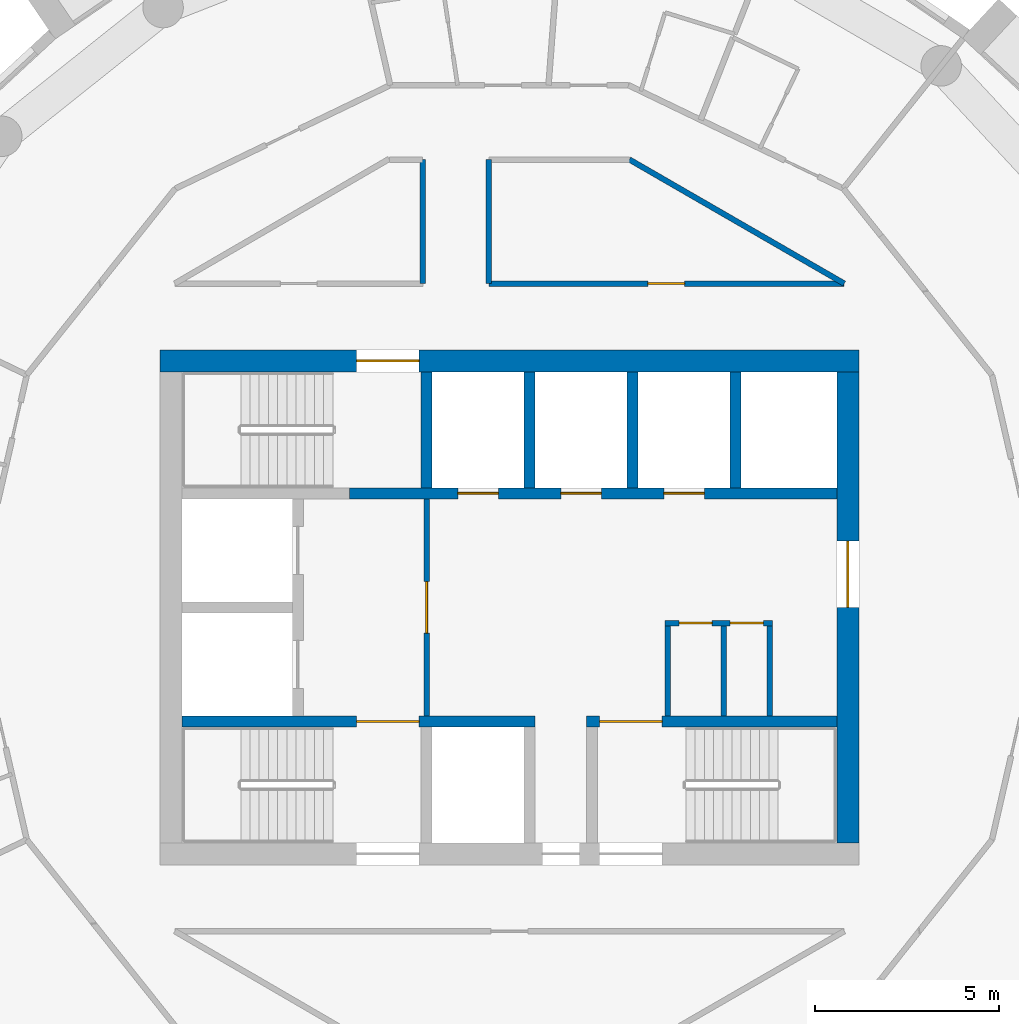
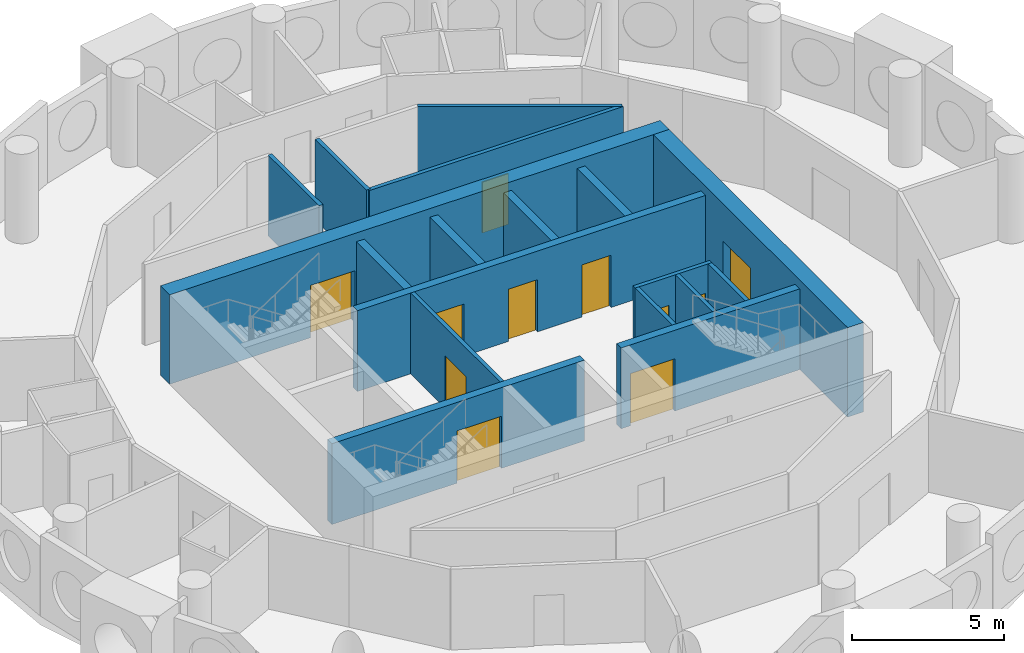
# One storey, part 7 of 12: 18 walls, 11 doors, 11 openings.
"""IFC4 building model written with IfcOpenShell, lengths in metres."""

from ifc_helpers import new_model, si_unit, direction, frame, frame_2d, origin, place, context, subcontext, project, spatial, rectangle, extrude, material, layer, layer_set, type_object, element, fill, save


model = new_model("IFC4")

# Units and contexts
model_context = context("Model", 3, precision=1e-05, world=origin(), true_north=direction((0.0, 1.0)))
body_context = subcontext(model_context, "Body", "Model", "MODEL_VIEW")
ifc_project = project(units=[si_unit("LENGTHUNIT", "METRE"), si_unit("AREAUNIT", "SQUARE_METRE"), si_unit("VOLUMEUNIT", "CUBIC_METRE"), si_unit("PLANEANGLEUNIT", "RADIAN"), si_unit("MASSUNIT", "GRAM", prefix="KILO")], contexts=[model_context])

# Site, building, storey
site_placement = place(None, origin())
site = spatial("IfcSite", under=ifc_project, at=site_placement, CompositionType="ELEMENT")
building_placement = place(site_placement, origin())
building = spatial("IfcBuilding", under=site, at=building_placement, Name="Tracery Tower", CompositionType="ELEMENT")
storey_placement = place(building_placement, frame((0.0, 0.0, 249.0)))
storey = spatial("IfcBuildingStorey", under=building, at=storey_placement, Name="L64", CompositionType="ELEMENT", Elevation=249.0)

# Wall, opening, door
ifc_material_1 = material(Name="Plasterboard on steel studs", Category="steel")
ifc_layer_1 = layer(ifc_material_1, 0.14990234375)
ifc_layer_set_1 = layer_set([ifc_layer_1], Name="Core lobby partition 150")
wall_type_1 = type_object("IfcWallType", Name="Core lobby partition 150", PredefinedType="SOLIDWALL", material=ifc_layer_set_1)
wall_1_placement = place(storey_placement, frame((-2.25, -2.949951171875, 0.0), z_axis=(0.0, 0.0, 1.0), x_axis=(0.0, 1.0, 0.0)))
wall_1 = element("IfcWall", 1, at=wall_1_placement, inside=storey, type_object=wall_type_1, Name="L64 FF lobby E", PredefinedType="SOLIDWALL", context=body_context, shape_type="SweptSolid", body=[
    extrude(rectangle(XDim=5.89990234375, YDim=0.14990234375, at=frame_2d((2.949951171875, 0.0))), origin(), (0.0, 0.0, 1.0), 3.25),
])
opening_1_placement = place(wall_1_placement, frame((2.25, 0.0, 0.0)))
opening_1 = element("IfcOpeningElement", 2, at=opening_1_placement, cuts=wall_1, Name="Opening KD8", PredefinedType="OPENING", context=body_context, shape_type="SweptSolid", body=[
    extrude(rectangle(XDim=1.39990234375, YDim=2.10009765625, at=frame_2d((0.699951171875, 1.050048828125))), frame((0.0, 0.074951171875, 0.0), z_axis=(0.0, -1.0, 0.0), x_axis=(1.0, 0.0, 0.0)), (0.0, 0.0, 1.0), 0.14990234375),
])
ifc_material_2 = material(Name="Steel fire door", Category="steel")
door_type_1 = type_object("IfcDoorType", Name="Core lobby door 1400 double", OperationType="NOTDEFINED", PredefinedType="DOOR", material=ifc_material_2)
door_1_placement = place(opening_1_placement, origin())
door_1 = element("IfcDoor", 3, at=door_1_placement, inside=storey, type_object=door_type_1, Name="Fire-fighting lobby door", OperationType="DOUBLE_DOOR_SINGLE_SWING", OverallHeight=2.10009765625, OverallWidth=1.39990234375, PredefinedType="DOOR", context=body_context, shape_type="SweptSolid", body=[
    extrude(rectangle(XDim=1.39990234375, YDim=2.10009765625, at=frame_2d((0.699951171875, 1.050048828125))), frame((0.0, 0.02490234375, 0.0), z_axis=(0.0, -1.0, 0.0), x_axis=(1.0, 0.0, 0.0)), (0.0, 0.0, 1.0), 0.050048828125),
])
fill(opening_1, door_1)

# Wall
ifc_material_3 = material(Name="Plasterboard on steel studs", Category="steel")
ifc_layer_2 = layer(ifc_material_3, 0.14990234375)
ifc_layer_set_2 = layer_set([ifc_layer_2], Name="Core room partition 150")
wall_type_2 = type_object("IfcWallType", Name="Core room partition 150", PredefinedType="SOLIDWALL", material=ifc_layer_set_2)
wall_2_placement = place(storey_placement, frame((4.300048828125, -2.949951171875, 0.0), z_axis=(0.0, 0.0, 1.0), x_axis=(0.0, 1.0, 0.0)))
element("IfcWall", 4, at=wall_2_placement, inside=storey, type_object=wall_type_2, Name="L64 slot W", PredefinedType="SOLIDWALL", context=body_context, shape_type="SweptSolid", body=[
    extrude(rectangle(XDim=2.449951171875, YDim=0.14990234375, at=frame_2d((1.22509765625, 0.0))), origin(), (0.0, 0.0, 1.0), 3.25),
])

# Wall, openings, doors
wall_3_placement = place(storey_placement, frame((4.22509765625, -0.425048828125, 0.0), z_axis=(0.0, 0.0, 1.0), x_axis=(1.0, 0.0, 0.0)))
wall_3 = element("IfcWall", 5, at=wall_3_placement, inside=storey, type_object=wall_type_2, Name="L64 slot N", PredefinedType="SOLIDWALL", context=body_context, shape_type="SweptSolid", body=[
    extrude(rectangle(XDim=2.9248046875, YDim=0.14990234375, at=frame_2d((1.46240234375, 0.0))), origin(), (0.0, 0.0, 1.0), 3.25),
])
opening_2_placement = place(wall_3_placement, frame((0.387451171875, 0.0, 0.0)))
opening_2 = element("IfcOpeningElement", 6, at=opening_2_placement, cuts=wall_3, Name="Opening KD22", PredefinedType="OPENING", context=body_context, shape_type="SweptSolid", body=[
    extrude(rectangle(XDim=0.89990234375, YDim=2.10009765625, at=frame_2d((0.449951171875, 1.050048828125))), frame((0.0, 0.074951171875, 0.0), z_axis=(0.0, -1.0, 0.0), x_axis=(1.0, 0.0, 0.0)), (0.0, 0.0, 1.0), 0.14990234375),
])
opening_3_placement = place(wall_3_placement, frame((1.77490234375, 0.0, 0.0)))
opening_3 = element("IfcOpeningElement", 7, at=opening_3_placement, cuts=wall_3, Name="Opening KD26", PredefinedType="OPENING", context=body_context, shape_type="SweptSolid", body=[
    extrude(rectangle(XDim=0.89990234375, YDim=2.10009765625, at=frame_2d((0.449951171875, 1.050048828125))), frame((0.0, 0.074951171875, 0.0), z_axis=(0.0, -1.0, 0.0), x_axis=(1.0, 0.0, 0.0)), (0.0, 0.0, 1.0), 0.14990234375),
])
ifc_material_4 = material(Name="Timber door leaf", Category="wood")
door_type_2 = type_object("IfcDoorType", Name="Core WC door 900", OperationType="NOTDEFINED", PredefinedType="DOOR", material=ifc_material_4)
door_2_placement = place(opening_2_placement, origin())
door_2 = element("IfcDoor", 8, at=door_2_placement, inside=storey, type_object=door_type_2, Name="Core door", OperationType="SINGLE_SWING_RIGHT", OverallHeight=2.10009765625, OverallWidth=0.89990234375, PredefinedType="DOOR", context=body_context, shape_type="SweptSolid", body=[
    extrude(rectangle(XDim=0.89990234375, YDim=2.10009765625, at=frame_2d((0.449951171875, 1.050048828125))), frame((0.0, 0.02490234375, 0.0), z_axis=(0.0, -1.0, 0.0), x_axis=(1.0, 0.0, 0.0)), (0.0, 0.0, 1.0), 0.050048828125),
])
fill(opening_2, door_2)
ifc_material_5 = material(Name="Timber door leaf", Category="wood")
door_type_3 = type_object("IfcDoorType", Name="Core store door 900", OperationType="NOTDEFINED", PredefinedType="DOOR", material=ifc_material_5)
door_3_placement = place(opening_3_placement, origin())
door_3 = element("IfcDoor", 9, at=door_3_placement, inside=storey, type_object=door_type_3, Name="Core door", OperationType="SINGLE_SWING_LEFT", OverallHeight=2.10009765625, OverallWidth=0.89990234375, PredefinedType="DOOR", context=body_context, shape_type="SweptSolid", body=[
    extrude(rectangle(XDim=0.89990234375, YDim=2.10009765625, at=frame_2d((0.449951171875, 1.050048828125))), frame((0.0, 0.02490234375, 0.0), z_axis=(0.0, -1.0, 0.0), x_axis=(1.0, 0.0, 0.0)), (0.0, 0.0, 1.0), 0.050048828125),
])
fill(opening_3, door_3)

# Walls
for number, where, z_axis, x_axis, name in (
    (10, (7.074951171875, -2.949951171875, 0.0), (0.0, 0.0, 1.0), (0.0, 1.0, 0.0), "L64 slot E"),
    (11, (5.824951171875, -2.949951171875, 0.0), (0.0, 0.0, 1.0), (0.0, 1.0, 0.0), "L64 slot sep 1"),
):
    element("IfcWall", number, at=place(storey_placement, frame(where, z_axis=z_axis, x_axis=x_axis)), inside=storey, type_object=wall_type_2, Name=name, PredefinedType="SOLIDWALL", context=body_context, shape_type="SweptSolid", body=[
        extrude(rectangle(XDim=2.449951171875, YDim=0.14990234375, at=frame_2d((1.22509765625, 0.0))), origin(), (0.0, 0.0, 1.0), 3.25),
    ])

# Wall, opening, door
ifc_material_6 = material(Name="Concrete C40/50", Category="concrete")
ifc_layer_3 = layer(ifc_material_6, 0.60009765625)
ifc_layer_set_3 = layer_set([ifc_layer_3], Name="Core wall 600 C40")
wall_type_3 = type_object("IfcWallType", Name="Core wall 600 C40", PredefinedType="SOLIDWALL", material=ifc_layer_set_3)
wall_4_placement = place(storey_placement, frame((-9.5, 6.699951171875, 0.0), z_axis=(0.0, 0.0, 1.0), x_axis=(1.0, 0.0, 0.0)))
wall_4 = element("IfcWall", 12, at=wall_4_placement, inside=storey, type_object=wall_type_3, Name="L64 outer N", PredefinedType="SOLIDWALL", context=body_context, shape_type="SweptSolid", body=[
    extrude(rectangle(XDim=19.0, YDim=0.60009765625, at=frame_2d((9.5, 0.0))), origin(), (0.0, 0.0, 1.0), 3.60009765625),
])
opening_4_placement = place(wall_4_placement, frame((5.35009765625, 0.0, 0.0)))
opening_4 = element("IfcOpeningElement", 13, at=opening_4_placement, cuts=wall_4, Name="Opening KD3", PredefinedType="OPENING", context=body_context, shape_type="SweptSolid", body=[
    extrude(rectangle(XDim=1.699951171875, YDim=2.10009765625, at=frame_2d((0.85009765625, 1.050048828125))), frame((0.0, 0.300048828125, 0.0), z_axis=(0.0, -1.0, 0.0), x_axis=(1.0, 0.0, 0.0)), (0.0, 0.0, 1.0), 0.60009765625),
])
ifc_material_7 = material(Name="Steel fire door", Category="steel")
door_type_4 = type_object("IfcDoorType", Name="Core stair door 1700 double", OperationType="NOTDEFINED", PredefinedType="DOOR", material=ifc_material_7)
door_4_placement = place(opening_4_placement, origin())
door_4 = element("IfcDoor", 14, at=door_4_placement, inside=storey, type_object=door_type_4, Name="Stair door ST3 exit", OperationType="DOUBLE_DOOR_SINGLE_SWING", OverallHeight=2.10009765625, OverallWidth=1.699951171875, PredefinedType="DOOR", context=body_context, shape_type="SweptSolid", body=[
    extrude(rectangle(XDim=1.699951171875, YDim=2.10009765625, at=frame_2d((0.85009765625, 1.050048828125))), frame((0.0, 0.02490234375, 0.0), z_axis=(0.0, -1.0, 0.0), x_axis=(1.0, 0.0, 0.0)), (0.0, 0.0, 1.0), 0.050048828125),
])
fill(opening_4, door_4)

wall_5_placement = place(storey_placement, frame((9.199951171875, -6.39990234375, 0.0), z_axis=(0.0, 0.0, 1.0), x_axis=(0.0, 1.0, 0.0)))
wall_5 = element("IfcWall", 15, at=wall_5_placement, inside=storey, type_object=wall_type_3, Name="L64 outer E", PredefinedType="SOLIDWALL", context=body_context, shape_type="SweptSolid", body=[
    extrude(rectangle(XDim=12.7998046875, YDim=0.60009765625, at=frame_2d((6.39990234375, 0.0))), origin(), (0.0, 0.0, 1.0), 3.60009765625),
])
opening_5_placement = place(wall_5_placement, frame((6.39990234375, 0.0, 0.0)))
opening_5 = element("IfcOpeningElement", 16, at=opening_5_placement, cuts=wall_5, Name="Opening KD13", PredefinedType="OPENING", context=body_context, shape_type="SweptSolid", body=[
    extrude(rectangle(XDim=1.800048828125, YDim=2.10009765625, at=frame_2d((0.89990234375, 1.050048828125))), frame((0.0, 0.300048828125, 0.0), z_axis=(0.0, -1.0, 0.0), x_axis=(1.0, 0.0, 0.0)), (0.0, 0.0, 1.0), 0.60009765625),
])
ifc_material_8 = material(Name="Steel fire door", Category="steel")
door_type_5 = type_object("IfcDoorType", Name="Core exit door 1800 double", OperationType="NOTDEFINED", PredefinedType="DOOR", material=ifc_material_8)
door_5_placement = place(opening_5_placement, origin())
door_5 = element("IfcDoor", 17, at=door_5_placement, inside=storey, type_object=door_type_5, Name="Core exit door", OperationType="DOUBLE_DOOR_SINGLE_SWING", OverallHeight=2.10009765625, OverallWidth=1.800048828125, PredefinedType="DOOR", context=body_context, shape_type="SweptSolid", body=[
    extrude(rectangle(XDim=1.800048828125, YDim=2.10009765625, at=frame_2d((0.89990234375, 1.050048828125))), frame((0.0, 0.02490234375, 0.0), z_axis=(0.0, -1.0, 0.0), x_axis=(1.0, 0.0, 0.0)), (0.0, 0.0, 1.0), 0.050048828125),
])
fill(opening_5, door_5)

ifc_material_9 = material(Name="Plasterboard on steel studs", Category="steel")
ifc_layer_4 = layer(ifc_material_9, 0.14990234375)
ifc_layer_set_4 = layer_set([ifc_layer_4], Name="Partition 150 corridor wall")
wall_type_4 = type_object("IfcWallType", Name="Partition 150 corridor wall", PredefinedType="PARTITIONING", material=ifc_layer_set_4)
wall_6_placement = place(storey_placement, frame((-0.56005859375, 8.800048828125, 0.0), z_axis=(0.0, 0.0, 1.0), x_axis=(1.0, 0.0, 0.0)))
wall_6 = element("IfcWall", 18, at=wall_6_placement, inside=storey, type_object=wall_type_4, Name="Corridor wall RC2-003", PredefinedType="PARTITIONING", context=body_context, shape_type="SweptSolid", body=[
    extrude(rectangle(XDim=9.66064453125, YDim=0.14990234375, at=frame_2d((4.830322265625, 0.0))), origin(), (0.0, 0.0, 1.0), 3.25),
])
opening_6_placement = place(wall_6_placement, frame((4.325927734375, 0.0, 0.0)))
opening_6 = element("IfcOpeningElement", 19, at=opening_6_placement, cuts=wall_6, Name="Opening RC2-02", PredefinedType="OPENING", context=body_context, shape_type="SweptSolid", body=[
    extrude(rectangle(XDim=1.0, YDim=2.0400390625, at=frame_2d((0.5, 1.02001953125))), frame((0.0, 0.074951171875, 0.0), z_axis=(0.0, -1.0, 0.0), x_axis=(1.0, 0.0, 0.0)), (0.0, 0.0, 1.0), 0.14990234375),
])
ifc_material_10 = material(Name="Timber door leaf", Category="wood")
door_type_6 = type_object("IfcDoorType", Name="Door communal room 1000", OperationType="NOTDEFINED", PredefinedType="DOOR", material=ifc_material_10)
door_6_placement = place(opening_6_placement, origin())
door_6 = element("IfcDoor", 20, at=door_6_placement, inside=storey, type_object=door_type_6, Name="Communal room door RC2-02", OperationType="SINGLE_SWING_LEFT", OverallHeight=2.0400390625, OverallWidth=1.0, PredefinedType="DOOR", context=body_context, shape_type="SweptSolid", body=[
    extrude(rectangle(XDim=1.0, YDim=2.0400390625, at=frame_2d((0.5, 1.02001953125))), frame((0.0, 0.02490234375, 0.0), z_axis=(0.0, -1.0, 0.0), x_axis=(1.0, 0.0, 0.0)), (0.0, 0.0, 1.0), 0.050048828125),
])
fill(opening_6, door_6)

# Walls
wall_7_placement = place(storey_placement, frame((-2.35595703125, 8.800048828125, 0.0), z_axis=(0.0, 0.0, 1.0), x_axis=(0.0, 1.0, 0.0)))
element("IfcWall", 21, at=wall_7_placement, inside=storey, type_object=wall_type_4, Name="Corridor wall RC2-024", PredefinedType="PARTITIONING", context=body_context, shape_type="SweptSolid", body=[
    extrude(rectangle(XDim=3.370849609375, YDim=0.14990234375, at=frame_2d((1.685546875, 0.0))), origin(), (0.0, 0.0, 1.0), 3.25),
])
wall_8_placement = place(storey_placement, frame((3.260986328125, 12.1708984375, 0.0), z_axis=(0.0, 0.0, 1.0), x_axis=(0.866066809554, -0.499928276245, 0.0)))
element("IfcWall", 22, at=wall_8_placement, inside=storey, type_object=wall_type_4, Name="Corridor wall RC2-026", PredefinedType="PARTITIONING", context=body_context, shape_type="SweptSolid", body=[
    extrude(rectangle(XDim=6.74267578125, YDim=0.14990234375, at=frame_2d((3.371337890625, 0.0))), origin(), (0.0, 0.0, 1.0), 3.25),
])
wall_9_placement = place(storey_placement, frame((-0.555908203125, 8.800048828125, 0.0), z_axis=(0.0, 0.0, 1.0), x_axis=(0.0, 1.0, 0.0)))
element("IfcWall", 23, at=wall_9_placement, inside=storey, type_object=wall_type_4, Name="Corridor wall RC2-028", PredefinedType="PARTITIONING", context=body_context, shape_type="SweptSolid", body=[
    extrude(rectangle(XDim=3.370849609375, YDim=0.14990234375, at=frame_2d((1.685546875, 0.0))), origin(), (0.0, 0.0, 1.0), 3.25),
])
ifc_material_11 = material(Name="Concrete C40/50", Category="concrete")
ifc_layer_5 = layer(ifc_material_11, 0.300048828125)
ifc_layer_set_5 = layer_set([ifc_layer_5], Name="Shaft wall 300 C40")
wall_type_5 = type_object("IfcWallType", Name="Shaft wall 300 C40", PredefinedType="SOLIDWALL", material=ifc_layer_set_5)
for number, where, z_axis, x_axis, name in (
    (24, (0.550048828125, 3.25, 0.0), (0.0, 0.0, 1.0), (0.0, 1.0, 0.0), "L64 HR sep 1"),
    (25, (3.35009765625, 3.25, 0.0), (0.0, 0.0, 1.0), (0.0, 1.0, 0.0), "L64 HR sep 2"),
    (26, (6.14990234375, 3.25, 0.0), (0.0, 0.0, 1.0), (0.0, 1.0, 0.0), "L64 HR sep 3"),
):
    element("IfcWall", number, at=place(storey_placement, frame(where, z_axis=z_axis, x_axis=x_axis)), inside=storey, type_object=wall_type_5, Name=name, PredefinedType="SOLIDWALL", context=body_context, shape_type="SweptSolid", body=[
        extrude(rectangle(XDim=3.14990234375, YDim=0.300048828125, at=frame_2d((1.574951171875, 0.0))), origin(), (0.0, 0.0, 1.0), 3.25),
    ])

# Wall, opening, door
ifc_material_12 = material(Name="Concrete C40/50", Category="concrete")
ifc_layer_6 = layer(ifc_material_12, 0.300048828125)
ifc_layer_set_6 = layer_set([ifc_layer_6], Name="Stair wall 300 C40")
wall_type_6 = type_object("IfcWallType", Name="Stair wall 300 C40", PredefinedType="SOLIDWALL", material=ifc_layer_set_6)
wall_10_placement = place(storey_placement, frame((-8.89990234375, -3.10009765625, 0.0), z_axis=(0.0, 0.0, 1.0), x_axis=(1.0, 0.0, 0.0)))
wall_10 = element("IfcWall", 27, at=wall_10_placement, inside=storey, type_object=wall_type_6, Name="L64 row S", PredefinedType="SOLIDWALL", context=body_context, shape_type="SweptSolid", body=[
    extrude(rectangle(XDim=9.599853515625, YDim=0.300048828125, at=frame_2d((4.7998046875, 0.0))), origin(), (0.0, 0.0, 1.0), 3.25),
])
opening_7_placement = place(wall_10_placement, frame((4.75, 0.0, 0.0)))
opening_7 = element("IfcOpeningElement", 28, at=opening_7_placement, cuts=wall_10, Name="Opening KD3", PredefinedType="OPENING", context=body_context, shape_type="SweptSolid", body=[
    extrude(rectangle(XDim=1.699951171875, YDim=2.10009765625, at=frame_2d((0.85009765625, 1.050048828125))), frame((0.0, 0.14990234375, 0.0), z_axis=(0.0, -1.0, 0.0), x_axis=(1.0, 0.0, 0.0)), (0.0, 0.0, 1.0), 0.300048828125),
])
door_7_placement = place(opening_7_placement, origin())
door_7 = element("IfcDoor", 29, at=door_7_placement, inside=storey, type_object=door_type_4, Name="Stair door ST1", OperationType="DOUBLE_DOOR_SINGLE_SWING", OverallHeight=2.10009765625, OverallWidth=1.699951171875, PredefinedType="DOOR", context=body_context, shape_type="SweptSolid", body=[
    extrude(rectangle(XDim=1.699951171875, YDim=2.10009765625, at=frame_2d((0.85009765625, 1.050048828125))), frame((0.0, 0.02490234375, 0.0), z_axis=(0.0, -1.0, 0.0), x_axis=(1.0, 0.0, 0.0)), (0.0, 0.0, 1.0), 0.050048828125),
])
fill(opening_7, door_7)

wall_11_placement = place(storey_placement, frame((2.10009765625, -3.10009765625, 0.0), z_axis=(0.0, 0.0, 1.0), x_axis=(1.0, 0.0, 0.0)))
wall_11 = element("IfcWall", 30, at=wall_11_placement, inside=storey, type_object=wall_type_6, Name="L64 row S E", PredefinedType="SOLIDWALL", context=body_context, shape_type="SweptSolid", body=[
    extrude(rectangle(XDim=6.7998046875, YDim=0.300048828125, at=frame_2d((3.39990234375, 0.0))), origin(), (0.0, 0.0, 1.0), 3.25),
])
opening_8_placement = place(wall_11_placement, frame((0.35009765625, 0.0, 0.0)))
opening_8 = element("IfcOpeningElement", 31, at=opening_8_placement, cuts=wall_11, Name="Opening KD3", PredefinedType="OPENING", context=body_context, shape_type="SweptSolid", body=[
    extrude(rectangle(XDim=1.699951171875, YDim=2.10009765625, at=frame_2d((0.85009765625, 1.050048828125))), frame((0.0, 0.14990234375, 0.0), z_axis=(0.0, -1.0, 0.0), x_axis=(1.0, 0.0, 0.0)), (0.0, 0.0, 1.0), 0.300048828125),
])
door_8_placement = place(opening_8_placement, origin())
door_8 = element("IfcDoor", 32, at=door_8_placement, inside=storey, type_object=door_type_4, Name="Stair door ST2", OperationType="DOUBLE_DOOR_SINGLE_SWING", OverallHeight=2.10009765625, OverallWidth=1.699951171875, PredefinedType="DOOR", context=body_context, shape_type="SweptSolid", body=[
    extrude(rectangle(XDim=1.699951171875, YDim=2.10009765625, at=frame_2d((0.85009765625, 1.050048828125))), frame((0.0, 0.02490234375, 0.0), z_axis=(0.0, -1.0, 0.0), x_axis=(1.0, 0.0, 0.0)), (0.0, 0.0, 1.0), 0.050048828125),
])
fill(opening_8, door_8)

# Wall, openings, doors
wall_12_placement = place(storey_placement, frame((-4.35009765625, 3.10009765625, 0.0), z_axis=(0.0, 0.0, 1.0), x_axis=(1.0, 0.0, 0.0)))
wall_12 = element("IfcWall", 33, at=wall_12_placement, inside=storey, type_object=wall_type_6, Name="L64 row N", PredefinedType="SOLIDWALL", context=body_context, shape_type="SweptSolid", body=[
    extrude(rectangle(XDim=13.25, YDim=0.300048828125, at=frame_2d((6.625, 0.0))), origin(), (0.0, 0.0, 1.0), 3.25),
])
opening_9_placement = place(wall_12_placement, frame((2.949951171875, 0.0, 0.0)))
opening_9 = element("IfcOpeningElement", 34, at=opening_9_placement, cuts=wall_12, Name="Opening KD49", PredefinedType="OPENING", context=body_context, shape_type="SweptSolid", body=[
    extrude(rectangle(XDim=1.10009765625, YDim=2.10009765625, at=frame_2d((0.550048828125, 1.050048828125))), frame((0.0, 0.14990234375, 0.0), z_axis=(0.0, -1.0, 0.0), x_axis=(1.0, 0.0, 0.0)), (0.0, 0.0, 1.0), 0.300048828125),
])
opening_10_placement = place(wall_12_placement, frame((5.75, 0.0, 0.0)))
opening_10 = element("IfcOpeningElement", 35, at=opening_10_placement, cuts=wall_12, Name="Opening KD50", PredefinedType="OPENING", context=body_context, shape_type="SweptSolid", body=[
    extrude(rectangle(XDim=1.10009765625, YDim=2.10009765625, at=frame_2d((0.550048828125, 1.050048828125))), frame((0.0, 0.14990234375, 0.0), z_axis=(0.0, -1.0, 0.0), x_axis=(1.0, 0.0, 0.0)), (0.0, 0.0, 1.0), 0.300048828125),
])
opening_11_placement = place(wall_12_placement, frame((8.550048828125, 0.0, 0.0)))
opening_11 = element("IfcOpeningElement", 36, at=opening_11_placement, cuts=wall_12, Name="Opening KD49", PredefinedType="OPENING", context=body_context, shape_type="SweptSolid", body=[
    extrude(rectangle(XDim=1.10009765625, YDim=2.10009765625, at=frame_2d((0.550048828125, 1.050048828125))), frame((0.0, 0.14990234375, 0.0), z_axis=(0.0, -1.0, 0.0), x_axis=(1.0, 0.0, 0.0)), (0.0, 0.0, 1.0), 0.300048828125),
])
ifc_material_13 = material(Name="Steel fire door", Category="steel")
door_type_7 = type_object("IfcDoorType", Name="Landing door 1100", OperationType="NOTDEFINED", PredefinedType="DOOR", material=ifc_material_13)
door_9_placement = place(opening_9_placement, origin())
door_9 = element("IfcDoor", 37, at=door_9_placement, inside=storey, type_object=door_type_7, Name="Landing door HR1", OperationType="SLIDING_TO_LEFT", OverallHeight=2.10009765625, OverallWidth=1.10009765625, PredefinedType="DOOR", context=body_context, shape_type="SweptSolid", body=[
    extrude(rectangle(XDim=1.10009765625, YDim=2.10009765625, at=frame_2d((0.550048828125, 1.050048828125))), frame((0.0, 0.02490234375, 0.0), z_axis=(0.0, -1.0, 0.0), x_axis=(1.0, 0.0, 0.0)), (0.0, 0.0, 1.0), 0.050048828125),
])
fill(opening_9, door_9)
door_10_placement = place(opening_10_placement, origin())
door_10 = element("IfcDoor", 38, at=door_10_placement, inside=storey, type_object=door_type_7, Name="Landing door HR2", OperationType="SLIDING_TO_RIGHT", OverallHeight=2.10009765625, OverallWidth=1.10009765625, PredefinedType="DOOR", context=body_context, shape_type="SweptSolid", body=[
    extrude(rectangle(XDim=1.10009765625, YDim=2.10009765625, at=frame_2d((0.550048828125, 1.050048828125))), frame((0.0, 0.02490234375, 0.0), z_axis=(0.0, -1.0, 0.0), x_axis=(1.0, 0.0, 0.0)), (0.0, 0.0, 1.0), 0.050048828125),
])
fill(opening_10, door_10)
door_11_placement = place(opening_11_placement, origin())
door_11 = element("IfcDoor", 39, at=door_11_placement, inside=storey, type_object=door_type_7, Name="Landing door HR3", OperationType="SLIDING_TO_LEFT", OverallHeight=2.10009765625, OverallWidth=1.10009765625, PredefinedType="DOOR", context=body_context, shape_type="SweptSolid", body=[
    extrude(rectangle(XDim=1.10009765625, YDim=2.10009765625, at=frame_2d((0.550048828125, 1.050048828125))), frame((0.0, 0.02490234375, 0.0), z_axis=(0.0, -1.0, 0.0), x_axis=(1.0, 0.0, 0.0)), (0.0, 0.0, 1.0), 0.050048828125),
])
fill(opening_11, door_11)

# Wall
wall_13_placement = place(storey_placement, frame((-2.25, 3.25, 0.0), z_axis=(0.0, 0.0, 1.0), x_axis=(0.0, 1.0, 0.0)))
element("IfcWall", 40, at=wall_13_placement, inside=storey, type_object=wall_type_6, Name="L64 ST3 E", PredefinedType="SOLIDWALL", context=body_context, shape_type="SweptSolid", body=[
    extrude(rectangle(XDim=3.14990234375, YDim=0.300048828125, at=frame_2d((1.574951171875, 0.0))), origin(), (0.0, 0.0, 1.0), 3.25),
])

save(model, "model.ifc")
